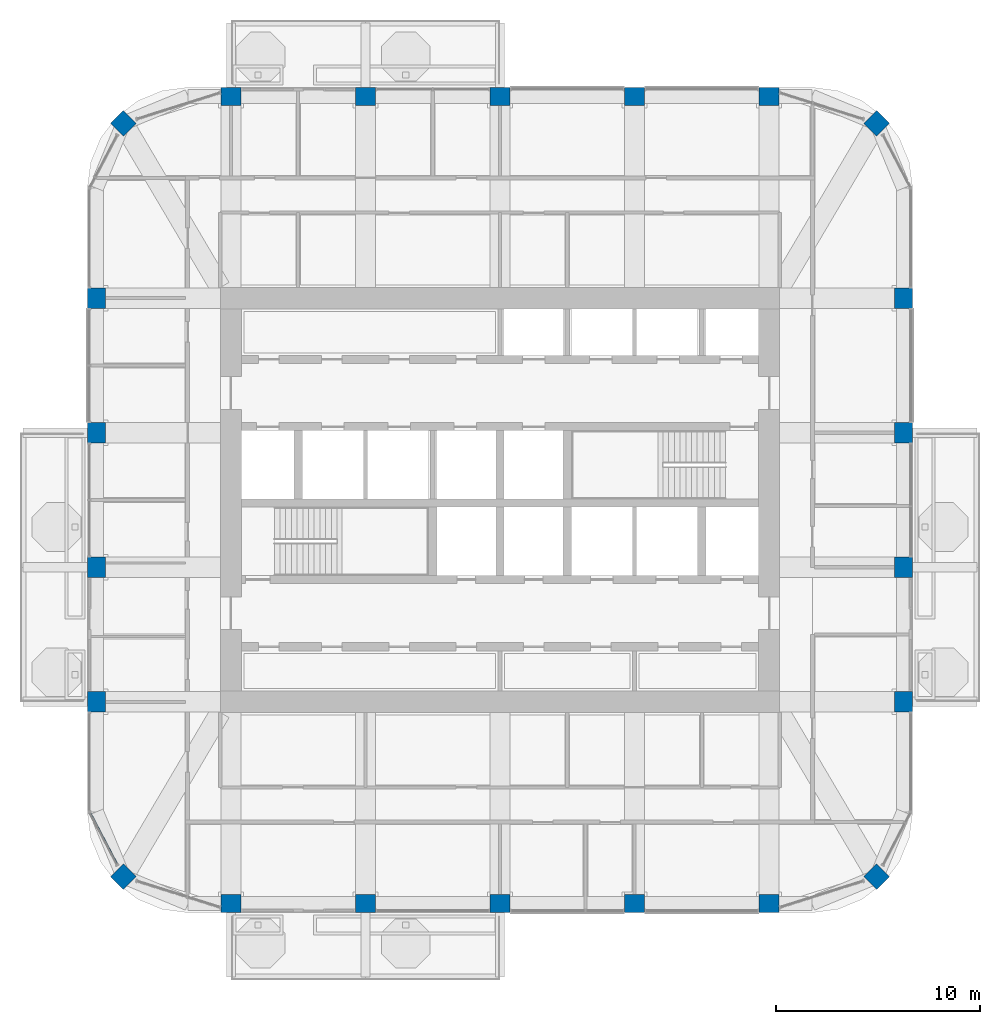
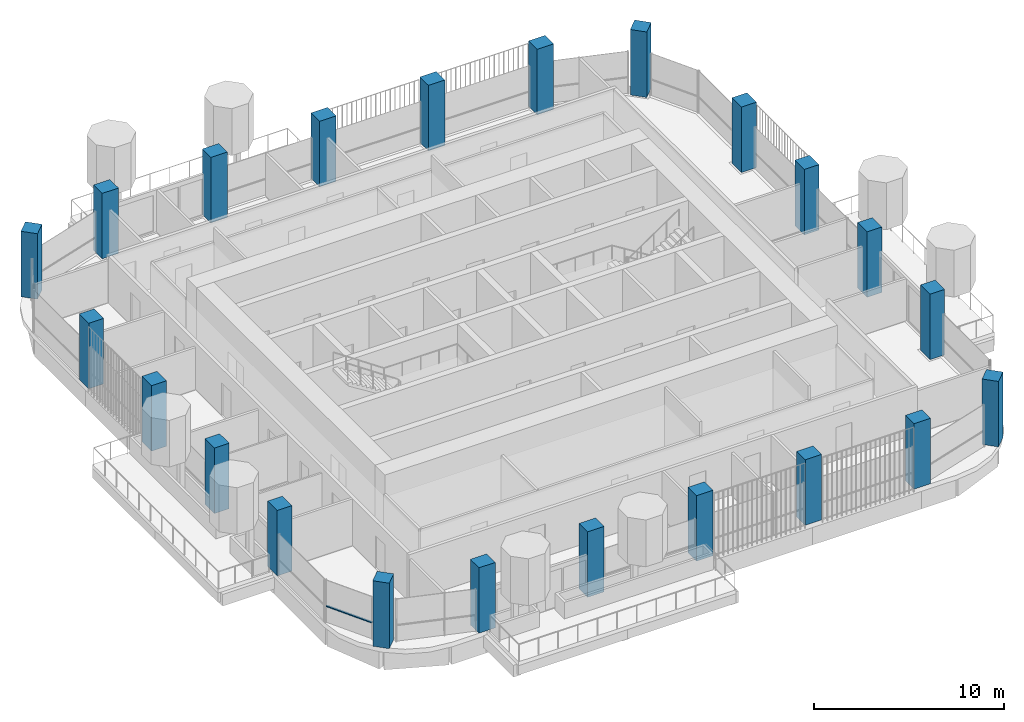
# One storey, part 1 of 18: 22 columns, 1 member, 1 element without a shape of its own.
"""IFC4 building model written with IfcOpenShell, lengths in metres."""

from ifc_helpers import new_model, si_unit, direction, frame, origin, origin_2d, place, context, subcontext, project, spatial, rectangle, extrude, material, material_profile, profile_set, type_object, element, aggregate, save


model = new_model("IFC4")

# Units and contexts
model_context = context("Model", 3, precision=1e-05, world=origin(), true_north=direction((0.0, 1.0)))
body_context = subcontext(model_context, "Body", "Model", "MODEL_VIEW")
ifc_project = project(units=[si_unit("LENGTHUNIT", "METRE"), si_unit("AREAUNIT", "SQUARE_METRE"), si_unit("VOLUMEUNIT", "CUBIC_METRE"), si_unit("PLANEANGLEUNIT", "RADIAN"), si_unit("MASSUNIT", "GRAM", prefix="KILO")], contexts=[model_context])

# Site, building, storey
site_placement = place(None, origin())
site = spatial("IfcSite", under=ifc_project, at=site_placement, CompositionType="ELEMENT")
building_placement = place(site_placement, origin())
building = spatial("IfcBuilding", under=site, at=building_placement, Name="Cobogo Forest Laboratory Tower", CompositionType="ELEMENT")
storey_placement = place(building_placement, frame((0.0, 0.0, 271.199951171875)))
storey = spatial("IfcBuildingStorey", under=building, at=storey_placement, Name="L62", CompositionType="ELEMENT", Elevation=271.199951171875)

# Columns
ifc_material_1 = material(Name="Concrete HA-50 (C50/60)", Category="concrete")
ifc_material_profile_1 = material_profile(ifc_material_1, rectangle(XDim=1.0, YDim=0.89990234375, at=origin_2d()), Name="RC 900x1000")
ifc_profile_set_1 = profile_set([ifc_material_profile_1], Name="Concrete HA-50 (C50/60)")
column_type_1 = type_object("IfcColumnType", Name="Blade column 900x1000", PredefinedType="COLUMN", material=ifc_profile_set_1)
for number, where, z_axis, x_axis, name in (
    (1, (13.199951171875, 3.300048828125, 0.0), (0.0, 0.0, 1.0), (1.0, 0.0, 0.0), "Column 3-A.1 L62"),
    (2, (19.800048828125, 3.300048828125, 0.0), (0.0, 0.0, 1.0), (1.0, 0.0, 0.0), "Column 4-A.1 L62"),
    (3, (26.39990234375, 3.300048828125, 0.0), (0.0, 0.0, 1.0), (1.0, 0.0, 0.0), "Column 5-A.1 L62"),
    (4, (33.0, 3.300048828125, 0.0), (0.0, 0.0, 1.0), (1.0, 0.0, 0.0), "Column 6-A.1 L62"),
    (5, (39.60009765625, 3.300048828125, 0.0), (0.0, 0.0, 1.0), (1.0, 0.0, 0.0), "Column 7-A.1 L62"),
    (6, (6.60009765625, 13.199951171875, 0.0), (0.0, 0.0, 1.0), (0.0, 1.0, 0.0), "Column 2-C L62"),
    (7, (46.199951171875, 13.199951171875, 0.0), (0.0, 0.0, 1.0), (0.0, 1.0, 0.0), "Column 8-C L62"),
    (8, (6.60009765625, 19.800048828125, 0.0), (0.0, 0.0, 1.0), (0.0, 1.0, 0.0), "Column 2-D L62"),
    (9, (46.199951171875, 19.800048828125, 0.0), (0.0, 0.0, 1.0), (0.0, 1.0, 0.0), "Column 8-D L62"),
    (10, (6.60009765625, 26.39990234375, 0.0), (0.0, 0.0, 1.0), (0.0, 1.0, 0.0), "Column 2-E L62"),
    (11, (46.199951171875, 26.39990234375, 0.0), (0.0, 0.0, 1.0), (0.0, 1.0, 0.0), "Column 8-E L62"),
    (12, (6.60009765625, 33.0, 0.0), (0.0, 0.0, 1.0), (0.0, 1.0, 0.0), "Column 2-F L62"),
    (13, (46.199951171875, 33.0, 0.0), (0.0, 0.0, 1.0), (0.0, 1.0, 0.0), "Column 8-F L62"),
    (14, (13.199951171875, 42.89990234375, 0.0), (0.0, 0.0, 1.0), (1.0, 0.0, 0.0), "Column 3-G.1 L62"),
    (15, (19.800048828125, 42.89990234375, 0.0), (0.0, 0.0, 1.0), (1.0, 0.0, 0.0), "Column 4-G.1 L62"),
    (16, (26.39990234375, 42.89990234375, 0.0), (0.0, 0.0, 1.0), (1.0, 0.0, 0.0), "Column 5-G.1 L62"),
    (17, (33.0, 42.89990234375, 0.0), (0.0, 0.0, 1.0), (1.0, 0.0, 0.0), "Column 6-G.1 L62"),
    (18, (39.60009765625, 42.89990234375, 0.0), (0.0, 0.0, 1.0), (1.0, 0.0, 0.0), "Column 7-G.1 L62"),
):
    element("IfcColumn", number, at=place(storey_placement, frame(where, z_axis=z_axis, x_axis=x_axis)), inside=storey, type_object=column_type_1, Name=name, PredefinedType="COLUMN", context=body_context, shape_type="SweptSolid", body=[
        extrude(rectangle(XDim=1.0, YDim=0.89990234375, at=origin_2d()), origin(), (0.0, 0.0, 1.0), 4.199951171875),
    ])
ifc_material_profile_2 = material_profile(ifc_material_1, rectangle(XDim=0.89990234375, YDim=0.89990234375, at=origin_2d()), Name="RC 900x900")
ifc_profile_set_2 = profile_set([ifc_material_profile_2], Name="Concrete HA-50 (C50/60)")
column_type_2 = type_object("IfcColumnType", Name="Column 900x900", PredefinedType="COLUMN", material=ifc_profile_set_2)
for number, where, z_axis, x_axis, name in (
    (19, (7.91796875, 4.617919921875, 0.0), (0.0, 0.0, 1.0), (0.707106781187, 0.707106781187, 0.0), "Column CNR-SW L62"),
    (20, (44.882080078125, 4.617919921875, 0.0), (0.0, 0.0, 1.0), (0.707106781187, 0.707106781187, 0.0), "Column CNR-SE L62"),
    (21, (7.91796875, 41.58203125, 0.0), (0.0, 0.0, 1.0), (0.707106781187, 0.707106781187, 0.0), "Column CNR-NW L62"),
    (22, (44.882080078125, 41.58203125, 0.0), (0.0, 0.0, 1.0), (0.707106781187, 0.707106781187, 0.0), "Column CNR-NE L62"),
):
    element("IfcColumn", number, at=place(storey_placement, frame(where, z_axis=z_axis, x_axis=x_axis)), inside=storey, type_object=column_type_2, Name=name, PredefinedType="COLUMN", context=body_context, shape_type="SweptSolid", body=[
        extrude(rectangle(XDim=0.89990234375, YDim=0.89990234375, at=origin_2d()), origin(), (0.0, 0.0, 1.0), 4.199951171875),
    ])

# Curtain wall, member
ifc_material_2 = material(Name="Aluminium curtain wall", Category="aluminium")
curtain_wall_type = type_object("IfcCurtainWallType", Name="CW-2 unitised curtain wall, solar control glazing, laboratory floors zones C and D", PredefinedType="USERDEFINED", material=ifc_material_2)
curtain_wall_placement = place(storey_placement, origin())
curtain_wall = element("IfcCurtainWall", 23, at=curtain_wall_placement, inside=storey, type_object=curtain_wall_type, Name="Curtain wall 25 L62", ObjectType="UNITISED CURTAIN WALL", PredefinedType="USERDEFINED")
ifc_material_3 = material(Name="Aluminium transom", Category="aluminium")
ifc_material_profile_3 = material_profile(ifc_material_3, rectangle(XDim=0.1201171875, YDim=0.06005859375, at=origin_2d()), Name="AL 60x120")
ifc_profile_set_3 = profile_set([ifc_material_profile_3], Name="Aluminium transom")
member_type = type_object("IfcMemberType", Name="TR-1 aluminium transom 60x120", PredefinedType="USERDEFINED", material=ifc_profile_set_3)
member_placement = place(storey_placement, frame((6.27783203125, 7.746826171875, 1.050048828125), z_axis=(0.46430944806, -0.885673041501, 0.0), x_axis=(0.885673041501, 0.46430944806, 0.0)))
member = element("IfcMember", 24, at=member_placement, type_object=member_type, Name="CW-2 transom 1.1", ObjectType="TRANSOM", PredefinedType="USERDEFINED", context=body_context, shape_type="SweptSolid", body=[
    extrude(rectangle(XDim=0.1201171875, YDim=0.06005859375, at=origin_2d()), origin(), (0.0, 0.0, 1.0), 2.865234375),
])
aggregate(curtain_wall, [member])

save(model, "model.ifc")
